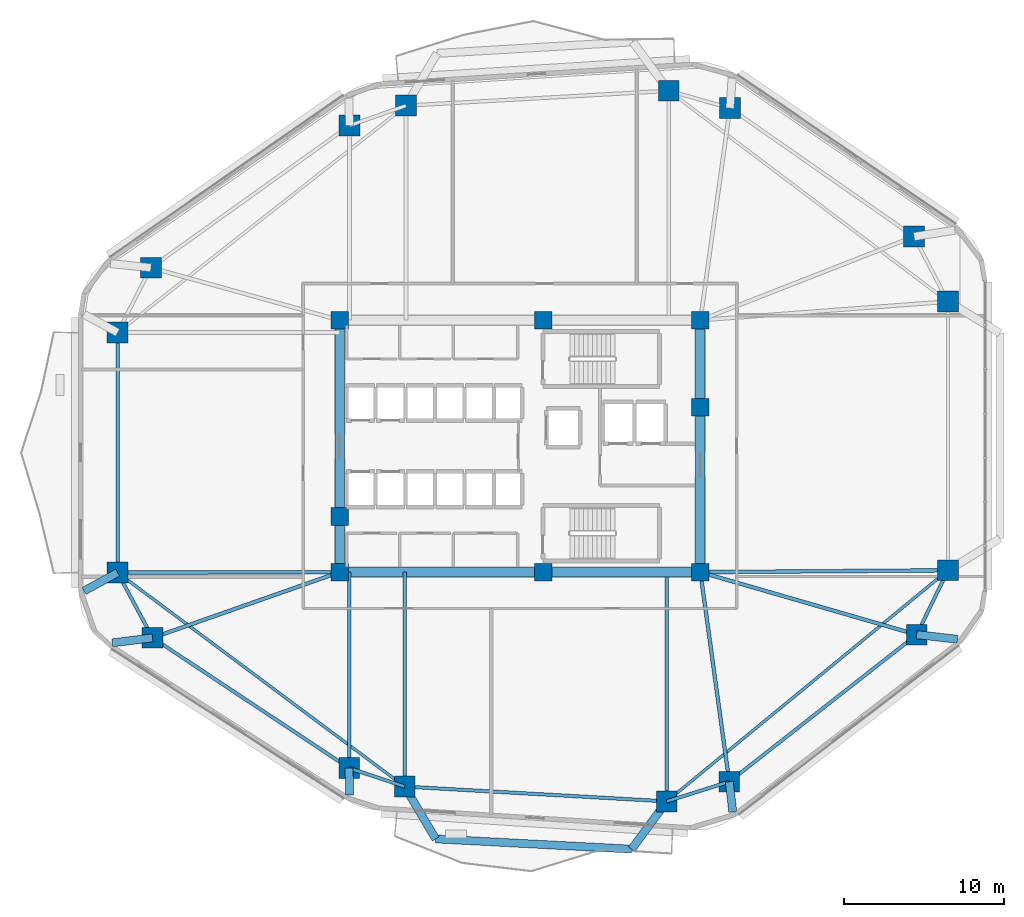
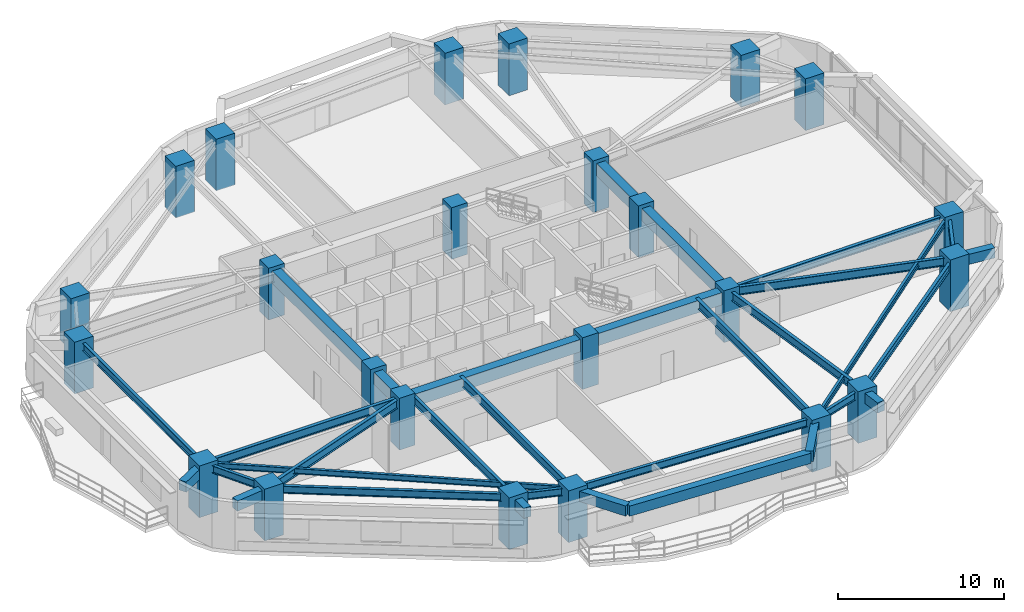
# One storey, part 1 of 14: 32 beams, 24 columns.
"""IFC4 building model written with IfcOpenShell, lengths in metres."""

from ifc_helpers import new_model, si_unit, direction, frame, origin, origin_2d, place, context, subcontext, project, spatial, rectangle, i_section, extrude, material, material_profile, profile_set, type_object, element, save


model = new_model("IFC4")

# Units and contexts
model_context = context("Model", 3, precision=1e-05, world=origin(), true_north=direction((0.0, 1.0)))
body_context = subcontext(model_context, "Body", "Model", "MODEL_VIEW")
ifc_project = project(units=[si_unit("LENGTHUNIT", "METRE"), si_unit("AREAUNIT", "SQUARE_METRE"), si_unit("VOLUMEUNIT", "CUBIC_METRE"), si_unit("PLANEANGLEUNIT", "RADIAN"), si_unit("MASSUNIT", "GRAM", prefix="KILO")], contexts=[model_context])

# Site, building, storey
site_placement = place(None, origin())
site = spatial("IfcSite", under=ifc_project, at=site_placement, CompositionType="ELEMENT")
building_placement = place(site_placement, origin())
building = spatial("IfcBuilding", under=site, at=building_placement, Name="Zulverin Broadcast Headquarters", CompositionType="ELEMENT")
storey_placement = place(building_placement, frame((0.0, 0.0, 40.199951171875)))
storey = spatial("IfcBuildingStorey", under=building, at=storey_placement, Name="L09", CompositionType="ELEMENT", Elevation=40.199951171875)

# Columns
ifc_material_1 = material(Name="Concrete C60/75", Category="concrete")
ifc_material_profile_1 = material_profile(ifc_material_1, rectangle(XDim=1.300048828125, YDim=1.300048828125, at=origin_2d()), Name="Concrete C60/75", Category="concrete")
ifc_profile_set_1 = profile_set([ifc_material_profile_1], Name="Concrete C60/75")
column_type_1 = type_object("IfcColumnType", Name="COL-RC-1300", PredefinedType="COLUMN", material=ifc_profile_set_1)
for number, where, z_axis, x_axis, name in (
    (1, (29.79638671875, 3.922119140625, 0.0), (0.0, 0.0, 1.0), (1.0, 0.0, 0.0), "L09 Perimeter Column T01"),
    (2, (46.175048828125, 2.997802734375, 0.0), (0.0, 0.0, 1.0), (1.0, 0.0, 0.0), "L09 Perimeter Column T02"),
    (3, (50.08056640625, 4.22509765625, 0.0), (0.0, 0.0, 1.0), (1.0, 0.0, 0.0), "L09 Perimeter Column T03"),
    (4, (61.79296875, 13.416259765625, 0.0), (0.0, 0.0, 1.0), (1.0, 0.0, 0.0), "L09 Perimeter Column T04"),
    (5, (63.75, 17.439697265625, 0.0), (0.0, 0.0, 1.0), (1.0, 0.0, 0.0), "L09 Perimeter Column T05"),
    (6, (63.75, 34.235107421875, 0.0), (0.0, 0.0, 1.0), (1.0, 0.0, 0.0), "L09 Perimeter Column T06"),
    (7, (61.630126953125, 38.298583984375, 0.0), (0.0, 0.0, 1.0), (1.0, 0.0, 0.0), "L09 Perimeter Column T07"),
    (8, (50.121826171875, 46.325927734375, 0.0), (0.0, 0.0, 1.0), (1.0, 0.0, 0.0), "L09 Perimeter Column T08"),
    (9, (46.30224609375, 47.4091796875, 0.0), (0.0, 0.0, 1.0), (1.0, 0.0, 0.0), "L09 Perimeter Column T09"),
    (10, (29.873779296875, 46.482177734375, 0.0), (0.0, 0.0, 1.0), (1.0, 0.0, 0.0), "L09 Perimeter Column T10"),
    (11, (26.344482421875, 45.23828125, 0.0), (0.0, 0.0, 1.0), (1.0, 0.0, 0.0), "L09 Perimeter Column T11"),
    (12, (13.934326171875, 36.353759765625, 0.0), (0.0, 0.0, 1.0), (1.0, 0.0, 0.0), "L09 Perimeter Column T12"),
    (13, (11.85009765625, 32.298095703125, 0.0), (0.0, 0.0, 1.0), (1.0, 0.0, 0.0), "L09 Perimeter Column T13"),
    (14, (11.85009765625, 17.297607421875, 0.0), (0.0, 0.0, 1.0), (1.0, 0.0, 0.0), "L09 Perimeter Column T14"),
    (15, (14.0390625, 13.219970703125, 0.0), (0.0, 0.0, 1.0), (1.0, 0.0, 0.0), "L09 Perimeter Column T15"),
    (16, (26.3251953125, 5.075927734375, 0.0), (0.0, 0.0, 1.0), (1.0, 0.0, 0.0), "L09 Perimeter Column T16"),
):
    element("IfcColumn", number, at=place(storey_placement, frame(where, z_axis=z_axis, x_axis=x_axis)), inside=storey, type_object=column_type_1, Name=name, PredefinedType="COLUMN", context=body_context, shape_type="SweptSolid", body=[
        extrude(rectangle(XDim=1.300048828125, YDim=1.300048828125, at=origin_2d()), origin(), (0.0, 0.0, 1.0), 3.800048828125),
    ])
ifc_material_profile_2 = material_profile(ifc_material_1, rectangle(XDim=1.10009765625, YDim=1.10009765625, at=origin_2d()), Name="Concrete C60/75", Category="concrete")
ifc_profile_set_2 = profile_set([ifc_material_profile_2], Name="Concrete C60/75")
column_type_2 = type_object("IfcColumnType", Name="PIL-RC-1100", PredefinedType="PILASTER", material=ifc_profile_set_2)
for number, where, z_axis, x_axis, name in (
    (17, (25.72509765625, 17.324951171875, 0.0), (0.0, 0.0, 1.0), (1.0, 0.0, 0.0), "L09 Core Pilaster K01"),
    (18, (38.449951171875, 17.324951171875, 0.0), (0.0, 0.0, 1.0), (1.0, 0.0, 0.0), "L09 Core Pilaster K02"),
    (19, (48.27490234375, 17.324951171875, 0.0), (0.0, 0.0, 1.0), (1.0, 0.0, 0.0), "L09 Core Pilaster K03"),
    (20, (48.27490234375, 27.6201171875, 0.0), (0.0, 0.0, 1.0), (1.0, 0.0, 0.0), "L09 Core Pilaster K04"),
    (21, (48.27490234375, 33.074951171875, 0.0), (0.0, 0.0, 1.0), (1.0, 0.0, 0.0), "L09 Core Pilaster K05"),
    (22, (38.449951171875, 33.074951171875, 0.0), (0.0, 0.0, 1.0), (1.0, 0.0, 0.0), "L09 Core Pilaster K06"),
    (23, (25.72509765625, 33.074951171875, 0.0), (0.0, 0.0, 1.0), (1.0, 0.0, 0.0), "L09 Core Pilaster K07"),
    (24, (25.72509765625, 20.800048828125, 0.0), (0.0, 0.0, 1.0), (1.0, 0.0, 0.0), "L09 Core Pilaster K08"),
):
    element("IfcColumn", number, at=place(storey_placement, frame(where, z_axis=z_axis, x_axis=x_axis)), inside=storey, type_object=column_type_2, Name=name, PredefinedType="PILASTER", context=body_context, shape_type="SweptSolid", body=[
        extrude(rectangle(XDim=1.10009765625, YDim=1.10009765625, at=origin_2d()), origin(), (0.0, 0.0, 1.0), 3.800048828125),
    ])

# Beams
ifc_material_profile_3 = material_profile(ifc_material_1, rectangle(XDim=0.60009765625, YDim=0.89990234375, at=origin_2d()), Name="Concrete C60/75", Category="concrete")
ifc_profile_set_3 = profile_set([ifc_material_profile_3], Name="Concrete C60/75")
beam_type_1 = type_object("IfcBeamType", Name="BM-CB-600x900", PredefinedType="LINTEL", material=ifc_profile_set_3)
beam_1_placement = place(storey_placement, frame((25.72509765625, 17.324951171875, 3.074951171875), z_axis=(1.0, 0.0, 0.0), x_axis=(0.0, 1.0, 0.0)))
element("IfcBeam", 25, at=beam_1_placement, inside=storey, type_object=beam_type_1, Name="L09 Core Coupling Girder K01-K02", PredefinedType="LINTEL", context=body_context, shape_type="SweptSolid", body=[
    extrude(rectangle(XDim=0.60009765625, YDim=0.89990234375, at=origin_2d()), origin(), (0.0, 0.0, 1.0), 12.724853515625),
])
beam_2_placement = place(storey_placement, frame((38.449951171875, 17.324951171875, 3.074951171875), z_axis=(1.0, 0.0, 0.0), x_axis=(0.0, 1.0, 0.0)))
element("IfcBeam", 26, at=beam_2_placement, inside=storey, type_object=beam_type_1, Name="L09 Core Coupling Girder K02-K03", PredefinedType="LINTEL", context=body_context, shape_type="SweptSolid", body=[
    extrude(rectangle(XDim=0.60009765625, YDim=0.89990234375, at=origin_2d()), origin(), (0.0, 0.0, 1.0), 9.824951171875),
])
beam_3_placement = place(storey_placement, frame((48.27490234375, 17.324951171875, 3.074951171875), z_axis=(0.0, 1.0, 0.0), x_axis=(-1.0, 0.0, 0.0)))
element("IfcBeam", 27, at=beam_3_placement, inside=storey, type_object=beam_type_1, Name="L09 Core Coupling Girder K03-K04", PredefinedType="LINTEL", context=body_context, shape_type="SweptSolid", body=[
    extrude(rectangle(XDim=0.60009765625, YDim=0.89990234375, at=origin_2d()), origin(), (0.0, 0.0, 1.0), 10.295166015625),
])
beam_4_placement = place(storey_placement, frame((48.27490234375, 27.6201171875, 3.074951171875), z_axis=(0.0, 1.0, 0.0), x_axis=(-1.0, 0.0, 0.0)))
element("IfcBeam", 28, at=beam_4_placement, inside=storey, type_object=beam_type_1, Name="L09 Core Coupling Girder K04-K05", PredefinedType="LINTEL", context=body_context, shape_type="SweptSolid", body=[
    extrude(rectangle(XDim=0.60009765625, YDim=0.89990234375, at=origin_2d()), origin(), (0.0, 0.0, 1.0), 5.454833984375),
])
beam_5_placement = place(storey_placement, frame((25.72509765625, 33.074951171875, 3.074951171875), z_axis=(0.0, -1.0, 0.0), x_axis=(1.0, 0.0, 0.0)))
element("IfcBeam", 29, at=beam_5_placement, inside=storey, type_object=beam_type_1, Name="L09 Core Coupling Girder K07-K08", PredefinedType="LINTEL", context=body_context, shape_type="SweptSolid", body=[
    extrude(rectangle(XDim=0.60009765625, YDim=0.89990234375, at=origin_2d()), origin(), (0.0, 0.0, 1.0), 12.27490234375),
])
beam_6_placement = place(storey_placement, frame((25.72509765625, 20.800048828125, 3.074951171875), z_axis=(0.0, -1.0, 0.0), x_axis=(1.0, 0.0, 0.0)))
element("IfcBeam", 30, at=beam_6_placement, inside=storey, type_object=beam_type_1, Name="L09 Core Coupling Girder K08-K01", PredefinedType="LINTEL", context=body_context, shape_type="SweptSolid", body=[
    extrude(rectangle(XDim=0.60009765625, YDim=0.89990234375, at=origin_2d()), origin(), (0.0, 0.0, 1.0), 3.47509765625),
])
ifc_material_2 = material(Name="Concrete C40/50", Category="concrete")
ifc_material_profile_4 = material_profile(ifc_material_2, rectangle(XDim=0.5, YDim=0.75, at=origin_2d()), Name="Concrete C40/50", Category="concrete")
ifc_profile_set_4 = profile_set([ifc_material_profile_4], Name="Concrete C40/50")
beam_type_2 = type_object("IfcBeamType", Name="BM-RC-500x750", PredefinedType="BEAM", material=ifc_profile_set_4)
beam_7_placement = place(storey_placement, frame((50.08056640625, 4.22509765625, 3.150146484375), z_axis=(0.115916621896, -0.99325894749, 0.0), x_axis=(0.99325894749, 0.115916621896, 0.0)))
element("IfcBeam", 31, at=beam_7_placement, inside=storey, type_object=beam_type_2, Name="L10 Plate Overhang Back-Spanned Beam OVR-03", PredefinedType="BEAM", context=body_context, shape_type="SweptSolid", body=[
    extrude(rectangle(XDim=0.5, YDim=0.75, at=origin_2d()), origin(), (0.0, 0.0, 1.0), 1.899658203125),
])
beam_8_placement = place(storey_placement, frame((61.79296875, 13.416259765625, 3.150146484375), z_axis=(0.993797661948, -0.111203449166, 0.0), x_axis=(0.111203449166, 0.993797661948, 0.0)))
element("IfcBeam", 32, at=beam_8_placement, inside=storey, type_object=beam_type_2, Name="L10 Plate Overhang Back-Spanned Beam OVR-04", PredefinedType="BEAM", context=body_context, shape_type="SweptSolid", body=[
    extrude(rectangle(XDim=0.5, YDim=0.75, at=origin_2d()), origin(), (0.0, 0.0, 1.0), 2.568603515625),
])
beam_9_placement = place(storey_placement, frame((11.85009765625, 17.297607421875, 3.150146484375), z_axis=(-0.876392237524, -0.481598012878, 0.0), x_axis=(0.481598012878, -0.876392237524, 0.0)))
element("IfcBeam", 33, at=beam_9_placement, inside=storey, type_object=beam_type_2, Name="L10 Plate Overhang Back-Spanned Beam OVR-14", PredefinedType="BEAM", context=body_context, shape_type="SweptSolid", body=[
    extrude(rectangle(XDim=0.5, YDim=0.75, at=origin_2d()), origin(), (0.0, 0.0, 1.0), 2.396240234375),
])
beam_10_placement = place(storey_placement, frame((14.0390625, 13.219970703125, 3.150146484375), z_axis=(-0.992258640565, -0.124188526941, 0.0), x_axis=(0.124188526941, -0.992258640565, 0.0)))
element("IfcBeam", 34, at=beam_10_placement, inside=storey, type_object=beam_type_2, Name="L10 Plate Overhang Back-Spanned Beam OVR-15", PredefinedType="BEAM", context=body_context, shape_type="SweptSolid", body=[
    extrude(rectangle(XDim=0.5, YDim=0.75, at=origin_2d()), origin(), (0.0, 0.0, 1.0), 2.5400390625),
])
beam_11_placement = place(storey_placement, frame((26.3251953125, 5.075927734375, 3.150146484375), z_axis=(0.006204786761, -0.999980750125, 0.0), x_axis=(0.999980750125, 0.006204786761, 0.0)))
element("IfcBeam", 35, at=beam_11_placement, inside=storey, type_object=beam_type_2, Name="L10 Plate Overhang Back-Spanned Beam OVR-16", PredefinedType="BEAM", context=body_context, shape_type="SweptSolid", body=[
    extrude(rectangle(XDim=0.5, YDim=0.75, at=origin_2d()), origin(), (0.0, 0.0, 1.0), 1.69189453125),
])
beam_12_placement = place(storey_placement, frame((29.79638671875, 3.922119140625, 3.150146484375), z_axis=(0.509317980618, -0.860578407014, 0.0), x_axis=(0.860578407014, 0.509317980618, 0.0)))
element("IfcBeam", 36, at=beam_12_placement, inside=storey, type_object=beam_type_2, Name="L10 Balcony Column-Framed Cantilever BAL_S-1", PredefinedType="BEAM", context=body_context, shape_type="SweptSolid", body=[
    extrude(rectangle(XDim=0.5, YDim=0.75, at=origin_2d()), origin(), (0.0, 0.0, 1.0), 3.7998046875),
])
beam_13_placement = place(storey_placement, frame((46.175048828125, 2.997802734375, 3.150146484375), z_axis=(-0.592473400613, -0.805590013323, 0.0), x_axis=(0.805590013323, -0.592473400613, 0.0)))
element("IfcBeam", 37, at=beam_13_placement, inside=storey, type_object=beam_type_2, Name="L10 Balcony Column-Framed Cantilever BAL_S-2", PredefinedType="BEAM", context=body_context, shape_type="SweptSolid", body=[
    extrude(rectangle(XDim=0.5, YDim=0.75, at=origin_2d()), origin(), (0.0, 0.0, 1.0), 3.708251953125),
])
beam_14_placement = place(storey_placement, frame((31.731689453125, 0.652099609375, 3.150146484375), z_axis=(0.998630394716, -0.052319544613, 0.0), x_axis=(0.052319544613, 0.998630394716, 0.0)))
element("IfcBeam", 38, at=beam_14_placement, inside=storey, type_object=beam_type_2, Name="L10 Balcony Outer Edge Trimmer Beam BAL_S", PredefinedType="BEAM", context=body_context, shape_type="SweptSolid", body=[
    extrude(rectangle(XDim=0.5, YDim=0.75, at=origin_2d()), origin(), (0.0, 0.0, 1.0), 12.26318359375),
])
ifc_material_3 = material(Name="Structural steel S355JR", Category="steel")
ifc_material_profile_5 = material_profile(ifc_material_3, i_section(OverallWidth=0.179443359375, OverallDepth=0.412841796875, WebThickness=0.009521484375, FlangeThickness=0.01611328125, at=origin_2d()), Name="Structural steel S355JR", Category="steel")
ifc_profile_set_5 = profile_set([ifc_material_profile_5], Name="Structural steel S355JR")
beam_type_3 = type_object("IfcBeamType", Name="BM-UB-406", PredefinedType="JOIST", material=ifc_profile_set_5)
beam_15_placement = place(storey_placement, frame((46.175048828125, 2.997802734375, 3.318603515625), z_axis=(0.772611370623, 0.634879256224, 0.0), x_axis=(-0.634879256224, 0.772611370623, 0.0)))
element("IfcBeam", 39, at=beam_15_placement, inside=storey, type_object=beam_type_3, Name="L09 Chordal Floor Joist J-01", PredefinedType="JOIST", context=body_context, shape_type="SweptSolid", body=[
    extrude(i_section(OverallWidth=0.179443359375, OverallDepth=0.412841796875, WebThickness=0.009521484375, FlangeThickness=0.01611328125, at=origin_2d()), origin(), (0.0, 0.0, 1.0), 22.74755859375),
])
beam_16_placement = place(storey_placement, frame((11.85009765625, 17.297607421875, 3.318603515625), z_axis=(0.801802688634, -0.59758886243, 0.0), x_axis=(0.59758886243, 0.801802688634, 0.0)))
element("IfcBeam", 40, at=beam_16_placement, inside=storey, type_object=beam_type_3, Name="L09 Chordal Floor Joist J-04", PredefinedType="JOIST", context=body_context, shape_type="SweptSolid", body=[
    extrude(i_section(OverallWidth=0.179443359375, OverallDepth=0.412841796875, WebThickness=0.009521484375, FlangeThickness=0.01611328125, at=origin_2d()), origin(), (0.0, 0.0, 1.0), 22.38232421875),
])
ifc_material_profile_6 = material_profile(ifc_material_3, i_section(OverallWidth=0.2119140625, OverallDepth=0.54443359375, WebThickness=0.0126953125, FlangeThickness=0.021240234375, at=origin_2d()), Name="Structural steel S355JR", Category="steel")
ifc_profile_set_6 = profile_set([ifc_material_profile_6], Name="Structural steel S355JR")
beam_type_4 = type_object("IfcBeamType", Name="BM-UB-533", PredefinedType="SPANDREL", material=ifc_profile_set_6)
beam_17_placement = place(storey_placement, frame((29.79638671875, 3.922119140625, 3.2529296875), z_axis=(0.998411385104, -0.056344530297, 0.0), x_axis=(0.056344530297, 0.998411385104, 0.0)))
element("IfcBeam", 41, at=beam_17_placement, inside=storey, type_object=beam_type_4, Name="L09 Perimeter Spandrel Beam SP-01", PredefinedType="SPANDREL", context=body_context, shape_type="SweptSolid", body=[
    extrude(i_section(OverallWidth=0.2119140625, OverallDepth=0.54443359375, WebThickness=0.0126953125, FlangeThickness=0.021240234375, at=origin_2d()), origin(), (0.0, 0.0, 1.0), 16.40478515625),
])
beam_18_placement = place(storey_placement, frame((46.175048828125, 2.997802734375, 3.2529296875), z_axis=(0.954004438448, 0.299792480595, 0.0), x_axis=(-0.299792480595, 0.954004438448, 0.0)))
element("IfcBeam", 42, at=beam_18_placement, inside=storey, type_object=beam_type_4, Name="L09 Perimeter Spandrel Beam SP-02", PredefinedType="SPANDREL", context=body_context, shape_type="SweptSolid", body=[
    extrude(i_section(OverallWidth=0.2119140625, OverallDepth=0.54443359375, WebThickness=0.0126953125, FlangeThickness=0.021240234375, at=origin_2d()), origin(), (0.0, 0.0, 1.0), 4.09375),
])
beam_19_placement = place(storey_placement, frame((50.08056640625, 4.22509765625, 3.2529296875), z_axis=(0.786691476208, 0.617346354376, 0.0), x_axis=(-0.617346354376, 0.786691476208, 0.0)))
element("IfcBeam", 43, at=beam_19_placement, inside=storey, type_object=beam_type_4, Name="L09 Perimeter Spandrel Beam SP-03", PredefinedType="SPANDREL", context=body_context, shape_type="SweptSolid", body=[
    extrude(i_section(OverallWidth=0.2119140625, OverallDepth=0.54443359375, WebThickness=0.0126953125, FlangeThickness=0.021240234375, at=origin_2d()), origin(), (0.0, 0.0, 1.0), 14.88818359375),
])
beam_20_placement = place(storey_placement, frame((61.79296875, 13.416259765625, 3.2529296875), z_axis=(0.437408475872, 0.899262934428, 0.0), x_axis=(-0.899262934428, 0.437408475872, 0.0)))
element("IfcBeam", 44, at=beam_20_placement, inside=storey, type_object=beam_type_4, Name="L09 Perimeter Spandrel Beam SP-04", PredefinedType="SPANDREL", context=body_context, shape_type="SweptSolid", body=[
    extrude(i_section(OverallWidth=0.2119140625, OverallDepth=0.54443359375, WebThickness=0.0126953125, FlangeThickness=0.021240234375, at=origin_2d()), origin(), (0.0, 0.0, 1.0), 4.47412109375),
])
beam_21_placement = place(storey_placement, frame((11.85009765625, 32.298095703125, 3.2529296875), z_axis=(0.0, -1.0, 0.0), x_axis=(1.0, 0.0, 0.0)))
element("IfcBeam", 45, at=beam_21_placement, inside=storey, type_object=beam_type_4, Name="L09 Perimeter Spandrel Beam SP-13", PredefinedType="SPANDREL", context=body_context, shape_type="SweptSolid", body=[
    extrude(i_section(OverallWidth=0.2119140625, OverallDepth=0.54443359375, WebThickness=0.0126953125, FlangeThickness=0.021240234375, at=origin_2d()), origin(), (0.0, 0.0, 1.0), 15.00048828125),
])
beam_22_placement = place(storey_placement, frame((11.85009765625, 17.297607421875, 3.2529296875), z_axis=(0.472979536362, -0.881073412482, 0.0), x_axis=(0.881073412482, 0.472979536362, 0.0)))
element("IfcBeam", 46, at=beam_22_placement, inside=storey, type_object=beam_type_4, Name="L09 Perimeter Spandrel Beam SP-14", PredefinedType="SPANDREL", context=body_context, shape_type="SweptSolid", body=[
    extrude(i_section(OverallWidth=0.2119140625, OverallDepth=0.54443359375, WebThickness=0.0126953125, FlangeThickness=0.021240234375, at=origin_2d()), origin(), (0.0, 0.0, 1.0), 4.6279296875),
])
beam_23_placement = place(storey_placement, frame((14.0390625, 13.219970703125, 3.2529296875), z_axis=(0.833510030956, -0.552504324232, 0.0), x_axis=(0.552504324232, 0.833510030956, 0.0)))
element("IfcBeam", 47, at=beam_23_placement, inside=storey, type_object=beam_type_4, Name="L09 Perimeter Spandrel Beam SP-15", PredefinedType="SPANDREL", context=body_context, shape_type="SweptSolid", body=[
    extrude(i_section(OverallWidth=0.2119140625, OverallDepth=0.54443359375, WebThickness=0.0126953125, FlangeThickness=0.021240234375, at=origin_2d()), origin(), (0.0, 0.0, 1.0), 14.740234375),
])
beam_24_placement = place(storey_placement, frame((26.3251953125, 5.075927734375, 3.2529296875), z_axis=(0.948949931395, -0.315426739047, 0.0), x_axis=(0.315426739047, 0.948949931395, 0.0)))
element("IfcBeam", 48, at=beam_24_placement, inside=storey, type_object=beam_type_4, Name="L09 Perimeter Spandrel Beam SP-16", PredefinedType="SPANDREL", context=body_context, shape_type="SweptSolid", body=[
    extrude(i_section(OverallWidth=0.2119140625, OverallDepth=0.54443359375, WebThickness=0.0126953125, FlangeThickness=0.021240234375, at=origin_2d()), origin(), (0.0, 0.0, 1.0), 3.657958984375),
])
ifc_material_profile_7 = material_profile(ifc_material_3, i_section(OverallWidth=0.230224609375, OverallDepth=0.6171875, WebThickness=0.01318359375, FlangeThickness=0.022216796875, at=origin_2d()), Name="Structural steel S355JR", Category="steel")
ifc_profile_set_7 = profile_set([ifc_material_profile_7], Name="Structural steel S355JR")
beam_type_5 = type_object("IfcBeamType", Name="BM-UB-610", PredefinedType="BEAM", material=ifc_profile_set_7)
beam_25_placement = place(storey_placement, frame((29.79638671875, 17.324951171875, 3.216552734375), z_axis=(0.0, -1.0, 0.0), x_axis=(1.0, 0.0, 0.0)))
element("IfcBeam", 49, at=beam_25_placement, inside=storey, type_object=beam_type_5, Name="L09 Radial Primary Floor Beam RB-01", PredefinedType="BEAM", context=body_context, shape_type="SweptSolid", body=[
    extrude(i_section(OverallWidth=0.230224609375, OverallDepth=0.6171875, WebThickness=0.01318359375, FlangeThickness=0.022216796875, at=origin_2d()), origin(), (0.0, 0.0, 1.0), 13.40283203125),
])
beam_26_placement = place(storey_placement, frame((46.175048828125, 17.324951171875, 3.216552734375), z_axis=(0.0, -1.0, 0.0), x_axis=(1.0, 0.0, 0.0)))
element("IfcBeam", 50, at=beam_26_placement, inside=storey, type_object=beam_type_5, Name="L09 Radial Primary Floor Beam RB-02", PredefinedType="BEAM", context=body_context, shape_type="SweptSolid", body=[
    extrude(i_section(OverallWidth=0.230224609375, OverallDepth=0.6171875, WebThickness=0.01318359375, FlangeThickness=0.022216796875, at=origin_2d()), origin(), (0.0, 0.0, 1.0), 14.3271484375),
])
beam_27_placement = place(storey_placement, frame((48.27490234375, 17.324951171875, 3.216552734375), z_axis=(0.136547433081, -0.990633533916, 0.0), x_axis=(0.990633533916, 0.136547433081, 0.0)))
element("IfcBeam", 51, at=beam_27_placement, inside=storey, type_object=beam_type_5, Name="L09 Radial Primary Floor Beam RB-03", PredefinedType="BEAM", context=body_context, shape_type="SweptSolid", body=[
    extrude(i_section(OverallWidth=0.230224609375, OverallDepth=0.6171875, WebThickness=0.01318359375, FlangeThickness=0.022216796875, at=origin_2d()), origin(), (0.0, 0.0, 1.0), 13.2236328125),
])
beam_28_placement = place(storey_placement, frame((48.27490234375, 17.324951171875, 3.216552734375), z_axis=(0.960648363311, -0.277767388416, 0.0), x_axis=(0.277767388416, 0.960648363311, 0.0)))
element("IfcBeam", 52, at=beam_28_placement, inside=storey, type_object=beam_type_5, Name="L09 Radial Primary Floor Beam RB-04", PredefinedType="BEAM", context=body_context, shape_type="SweptSolid", body=[
    extrude(i_section(OverallWidth=0.230224609375, OverallDepth=0.6171875, WebThickness=0.01318359375, FlangeThickness=0.022216796875, at=origin_2d()), origin(), (0.0, 0.0, 1.0), 14.07177734375),
])
beam_29_placement = place(storey_placement, frame((48.27490234375, 17.324951171875, 3.216552734375), z_axis=(0.999972510862, 0.007414682739, 0.0), x_axis=(-0.007414682739, 0.999972510862, 0.0)))
element("IfcBeam", 53, at=beam_29_placement, inside=storey, type_object=beam_type_5, Name="L09 Radial Primary Floor Beam RB-05", PredefinedType="BEAM", context=body_context, shape_type="SweptSolid", body=[
    extrude(i_section(OverallWidth=0.230224609375, OverallDepth=0.6171875, WebThickness=0.01318359375, FlangeThickness=0.022216796875, at=origin_2d()), origin(), (0.0, 0.0, 1.0), 15.4755859375),
])
beam_30_placement = place(storey_placement, frame((25.72509765625, 17.324951171875, 3.216552734375), z_axis=(-0.999998058136, -0.001970716894, 0.0), x_axis=(0.001970716894, -0.999998058136, 0.0)))
element("IfcBeam", 54, at=beam_30_placement, inside=storey, type_object=beam_type_5, Name="L09 Radial Primary Floor Beam RB-14", PredefinedType="BEAM", context=body_context, shape_type="SweptSolid", body=[
    extrude(i_section(OverallWidth=0.230224609375, OverallDepth=0.6171875, WebThickness=0.01318359375, FlangeThickness=0.022216796875, at=origin_2d()), origin(), (0.0, 0.0, 1.0), 13.875),
])
beam_31_placement = place(storey_placement, frame((25.72509765625, 17.324951171875, 3.216552734375), z_axis=(-0.943483462345, -0.331419607569, 0.0), x_axis=(0.331419607569, -0.943483462345, 0.0)))
element("IfcBeam", 55, at=beam_31_placement, inside=storey, type_object=beam_type_5, Name="L09 Radial Primary Floor Beam RB-15", PredefinedType="BEAM", context=body_context, shape_type="SweptSolid", body=[
    extrude(i_section(OverallWidth=0.230224609375, OverallDepth=0.6171875, WebThickness=0.01318359375, FlangeThickness=0.022216796875, at=origin_2d()), origin(), (0.0, 0.0, 1.0), 12.385986328125),
])
beam_32_placement = place(storey_placement, frame((26.3251953125, 17.324951171875, 3.216552734375), z_axis=(0.0, -1.0, 0.0), x_axis=(1.0, 0.0, 0.0)))
element("IfcBeam", 56, at=beam_32_placement, inside=storey, type_object=beam_type_5, Name="L09 Radial Primary Floor Beam RB-16", PredefinedType="BEAM", context=body_context, shape_type="SweptSolid", body=[
    extrude(i_section(OverallWidth=0.230224609375, OverallDepth=0.6171875, WebThickness=0.01318359375, FlangeThickness=0.022216796875, at=origin_2d()), origin(), (0.0, 0.0, 1.0), 12.2490234375),
])

save(model, "model.ifc")
